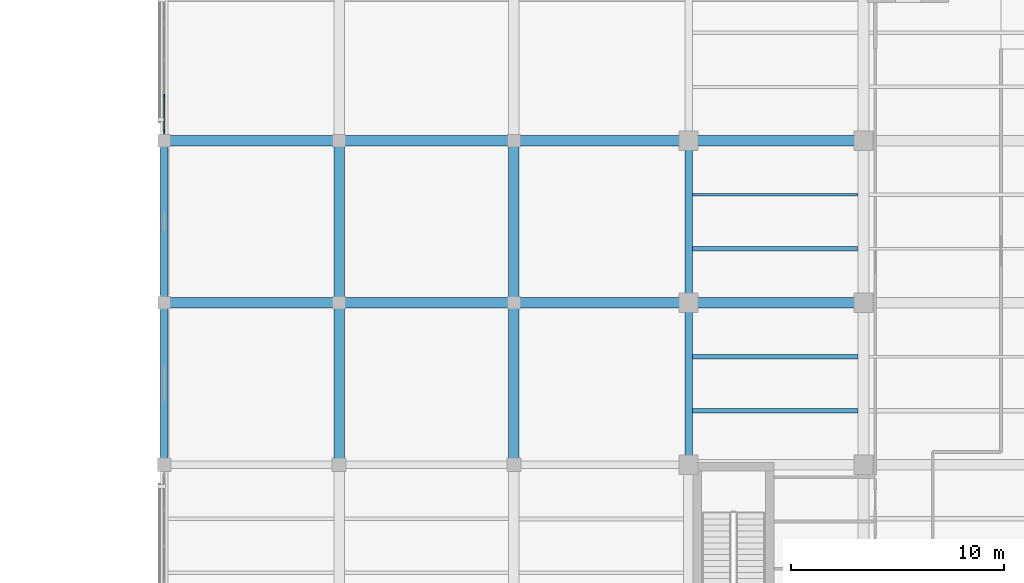
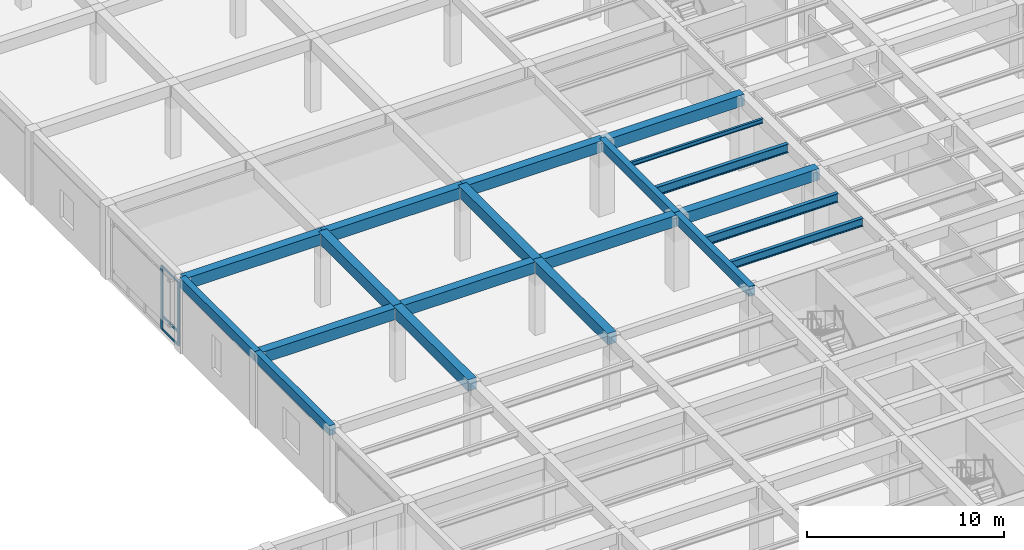
# One storey, part 13 of 49: 20 beams, 5 members, 1 element without a shape of its own.
"""IFC4 building model written with IfcOpenShell, lengths in metres."""

from ifc_helpers import new_model, si_unit, direction, frame, origin, origin_2d, place, context, subcontext, project, spatial, rectangle, i_section, extrude, material, material_profile, profile_set, type_object, element, aggregate, save


model = new_model("IFC4")

# Units and contexts
model_context = context("Model", 3, precision=1e-05, world=origin(), true_north=direction((0.0, 1.0)))
body_context = subcontext(model_context, "Body", "Model", "MODEL_VIEW")
ifc_project = project(units=[si_unit("LENGTHUNIT", "METRE"), si_unit("AREAUNIT", "SQUARE_METRE"), si_unit("VOLUMEUNIT", "CUBIC_METRE"), si_unit("PLANEANGLEUNIT", "RADIAN"), si_unit("MASSUNIT", "GRAM", prefix="KILO")], contexts=[model_context])

# Site, building, storey
site_placement = place(None, origin())
site = spatial("IfcSite", under=ifc_project, at=site_placement, CompositionType="ELEMENT")
building_placement = place(site_placement, origin())
building = spatial("IfcBuilding", under=site, at=building_placement, Name="Qandaris Square Conservatory and Botanical Centre", CompositionType="ELEMENT")
storey_placement = place(building_placement, frame((0.0, 0.0, 10.199951171875)))
storey = spatial("IfcBuildingStorey", under=building, at=storey_placement, Name="L02", CompositionType="ELEMENT", Elevation=10.199951171875)

# Beam
ifc_material_1 = material(Name="Steel S355", Category="steel")
ifc_material_profile_1 = material_profile(ifc_material_1, i_section(OverallWidth=0.199951171875, OverallDepth=0.5, WebThickness=0.01025390625, FlangeThickness=0.01611328125, FilletRadius=0.02099609375, at=origin_2d()), Name="IPE 500")
ifc_profile_set_1 = profile_set([ifc_material_profile_1], Name="Steel S355")
beam_type_1 = type_object("IfcBeamType", Name="Composite Gallery Joist IPE 500", PredefinedType="JOIST", material=ifc_profile_set_1)
beam_1_placement = place(storey_placement, frame((139.375, 49.533203125, 4.25), z_axis=(1.0, 0.0, 0.0), x_axis=(0.0, 1.0, 0.0)))
element("IfcBeam", 1, at=beam_1_placement, inside=storey, type_object=beam_type_1, Name="L02 Composite Joist 1488", PredefinedType="JOIST", context=body_context, shape_type="SweptSolid", body=[
    extrude(i_section(OverallWidth=0.199951171875, OverallDepth=0.5, WebThickness=0.01025390625, FlangeThickness=0.01611328125, FilletRadius=0.02099609375, at=origin_2d()), origin(), (0.0, 0.0, 1.0), 7.77490234375),
])

# Curtain wall, members
ifc_material_2 = material(Name="Anodised Aluminium", Category="aluminium")
curtain_wall_type = type_object("IfcCurtainWallType", Name="Unitised Curtain Wall CW-4-680x394", PredefinedType="USERDEFINED", material=ifc_material_2)
curtain_wall_placement = place(storey_placement, origin())
curtain_wall = element("IfcCurtainWall", 2, at=curtain_wall_placement, inside=storey, type_object=curtain_wall_type, Name="Curtain Wall CW-TWR-L02-4-5", ObjectType="GLAZED CURTAIN WALL", PredefinedType="USERDEFINED")
ifc_material_profile_2 = material_profile(ifc_material_2, rectangle(XDim=0.06494140625, YDim=0.179931640625, at=origin_2d()), Name="ALU-MUL 65x180")
ifc_profile_set_2 = profile_set([ifc_material_profile_2], Name="Anodised Aluminium")
member_type_1 = type_object("IfcMemberType", Name="Curtain Wall Mullion 65x180", PredefinedType="MULLION", material=ifc_profile_set_2)
member_1_placement = place(storey_placement, frame((114.60009765625, 64.300048828125, 0.0), z_axis=(0.0, 0.0, 1.0), x_axis=(1.0, 0.0, 0.0)))
member_1 = element("IfcMember", 3, at=member_1_placement, type_object=member_type_1, Name="CW-4-680x394 mullion 4", PredefinedType="MULLION", context=body_context, shape_type="SweptSolid", body=[
    extrude(rectangle(XDim=0.06494140625, YDim=0.179931640625, at=origin_2d()), origin(), (0.0, 0.0, 1.0), 3.945068359375),
])
member_2_placement = place(storey_placement, frame((114.60009765625, 62.632568359375, 0.0), z_axis=(0.0, 0.0, 1.0), x_axis=(1.0, 0.0, 0.0)))
member_2 = element("IfcMember", 4, at=member_2_placement, type_object=member_type_1, Name="CW-4-680x394 mullion 5", PredefinedType="MULLION", context=body_context, shape_type="SweptSolid", body=[
    extrude(rectangle(XDim=0.06494140625, YDim=0.179931640625, at=origin_2d()), origin(), (0.0, 0.0, 1.0), 3.945068359375),
])
ifc_material_profile_3 = material_profile(ifc_material_2, rectangle(XDim=0.06494140625, YDim=0.139892578125, at=origin_2d()), Name="ALU-TRN 65x140")
ifc_profile_set_3 = profile_set([ifc_material_profile_3], Name="Anodised Aluminium")
member_type_2 = type_object("IfcMemberType", Name="Curtain Wall Transom 65x140", PredefinedType="USERDEFINED", material=ifc_profile_set_3)
member_3_placement = place(storey_placement, frame((114.60009765625, 64.267578125, 0.032470703125), z_axis=(0.0, -1.0, 0.0), x_axis=(1.0, 0.0, 0.0)))
member_3 = element("IfcMember", 5, at=member_3_placement, type_object=member_type_2, Name="CW-4-680x394 transom 4.1", ObjectType="TRANSOM", PredefinedType="USERDEFINED", context=body_context, shape_type="SweptSolid", body=[
    extrude(rectangle(XDim=0.06494140625, YDim=0.139892578125, at=origin_2d()), origin(), (0.0, 0.0, 1.0), 1.6025390625),
])
member_4_placement = place(storey_placement, frame((114.60009765625, 64.267578125, 0.85009765625), z_axis=(0.0, -1.0, 0.0), x_axis=(1.0, 0.0, 0.0)))
member_4 = element("IfcMember", 6, at=member_4_placement, type_object=member_type_2, Name="CW-4-680x394 transom 4.2", ObjectType="TRANSOM", PredefinedType="USERDEFINED", context=body_context, shape_type="SweptSolid", body=[
    extrude(rectangle(XDim=0.06494140625, YDim=0.139892578125, at=origin_2d()), origin(), (0.0, 0.0, 1.0), 1.6025390625),
])
member_5_placement = place(storey_placement, frame((114.60009765625, 64.267578125, 3.91259765625), z_axis=(0.0, -1.0, 0.0), x_axis=(1.0, 0.0, 0.0)))
member_5 = element("IfcMember", 7, at=member_5_placement, type_object=member_type_2, Name="CW-4-680x394 transom 4.3", ObjectType="TRANSOM", PredefinedType="USERDEFINED", context=body_context, shape_type="SweptSolid", body=[
    extrude(rectangle(XDim=0.06494140625, YDim=0.139892578125, at=origin_2d()), origin(), (0.0, 0.0, 1.0), 1.6025390625),
])
aggregate(curtain_wall, [member_1, member_2, member_3, member_4, member_5])

# Beams
ifc_material_profile_4 = material_profile(ifc_material_1, i_section(OverallWidth=0.2099609375, OverallDepth=0.550048828125, WebThickness=0.010986328125, FlangeThickness=0.01708984375, FilletRadius=0.02392578125, at=origin_2d()), Name="IPE 550")
ifc_profile_set_4 = profile_set([ifc_material_profile_4], Name="Steel S355")
beam_type_2 = type_object("IfcBeamType", Name="Long-Span Foyer Joist IPE 550", PredefinedType="JOIST", material=ifc_profile_set_4)
for number, where, z_axis, x_axis, name in (
    (8, (139.375, 52.066650390625, 4.22509765625), (1.0, 0.0, 0.0), (0.0, 1.0, 0.0), "L02 Composite Joist 1489"),
    (9, (139.375, 57.13330078125, 4.22509765625), (1.0, 0.0, 0.0), (0.0, 1.0, 0.0), "L02 Composite Joist 1490"),
):
    element("IfcBeam", number, at=place(storey_placement, frame(where, z_axis=z_axis, x_axis=x_axis)), inside=storey, type_object=beam_type_2, Name=name, PredefinedType="JOIST", context=body_context, shape_type="SweptSolid", body=[
        extrude(i_section(OverallWidth=0.2099609375, OverallDepth=0.550048828125, WebThickness=0.010986328125, FlangeThickness=0.01708984375, FilletRadius=0.02392578125, at=origin_2d()), origin(), (0.0, 0.0, 1.0), 7.77490234375),
    ])
ifc_material_3 = material(Name="Concrete C50/60", Category="concrete")
ifc_material_profile_5 = material_profile(ifc_material_3, rectangle(XDim=0.35009765625, YDim=0.60009765625, at=origin_2d()), Name="RC-SP 350x600")
ifc_profile_set_5 = profile_set([ifc_material_profile_5], Name="Concrete C50/60")
beam_type_3 = type_object("IfcBeamType", Name="RC Edge Spandrel Beam 350x600", PredefinedType="SPANDREL", material=ifc_profile_set_5)
beam_2_placement = place(storey_placement, frame((114.60009765625, 47.0, 4.2451171875), z_axis=(0.0, 1.0, 0.0), x_axis=(-1.0, 0.0, 0.0)))
element("IfcBeam", 10, at=beam_2_placement, inside=storey, type_object=beam_type_3, Name="L02 Frame Beam 1388", PredefinedType="SPANDREL", context=body_context, shape_type="SweptSolid", body=[
    extrude(rectangle(XDim=0.35009765625, YDim=0.60009765625, at=origin_2d()), origin(), (0.0, 0.0, 1.0), 7.60009765625),
])
beam_3_placement = place(storey_placement, frame((114.60009765625, 54.60009765625, 4.2451171875), z_axis=(0.0, 1.0, 0.0), x_axis=(-1.0, 0.0, 0.0)))
element("IfcBeam", 11, at=beam_3_placement, inside=storey, type_object=beam_type_3, Name="L02 Frame Beam 1389", PredefinedType="SPANDREL", context=body_context, shape_type="SweptSolid", body=[
    extrude(rectangle(XDim=0.35009765625, YDim=0.60009765625, at=origin_2d()), origin(), (0.0, 0.0, 1.0), 7.599853515625),
])
beam_4_placement = place(storey_placement, frame((139.199951171875, 47.0, 4.2451171875), z_axis=(0.0, 1.0, 0.0), x_axis=(-1.0, 0.0, 0.0)))
element("IfcBeam", 12, at=beam_4_placement, inside=storey, type_object=beam_type_3, Name="L02 Frame Beam 1421", PredefinedType="SPANDREL", context=body_context, shape_type="SweptSolid", body=[
    extrude(rectangle(XDim=0.35009765625, YDim=0.60009765625, at=origin_2d()), origin(), (0.0, 0.0, 1.0), 7.60009765625),
])
beam_5_placement = place(storey_placement, frame((139.199951171875, 54.60009765625, 4.2451171875), z_axis=(0.0, 1.0, 0.0), x_axis=(-1.0, 0.0, 0.0)))
element("IfcBeam", 13, at=beam_5_placement, inside=storey, type_object=beam_type_3, Name="L02 Frame Beam 1422", PredefinedType="SPANDREL", context=body_context, shape_type="SweptSolid", body=[
    extrude(rectangle(XDim=0.35009765625, YDim=0.60009765625, at=origin_2d()), origin(), (0.0, 0.0, 1.0), 7.599853515625),
])
ifc_material_profile_6 = material_profile(ifc_material_3, rectangle(XDim=0.5, YDim=0.699951171875, at=origin_2d()), Name="RC-BM 500x700")
ifc_profile_set_6 = profile_set([ifc_material_profile_6], Name="Concrete C50/60")
beam_type_4 = type_object("IfcBeamType", Name="RC Floor Girder 500x700", PredefinedType="BEAM", material=ifc_profile_set_6)
for number, where, z_axis, x_axis, name in (
    (14, (114.60009765625, 54.60009765625, 4.195068359375), (1.0, 0.0, 0.0), (0.0, 1.0, 0.0), "L02 Frame Beam 1336"),
    (15, (122.800048828125, 54.60009765625, 4.195068359375), (1.0, 0.0, 0.0), (0.0, 1.0, 0.0), "L02 Frame Beam 1337"),
    (16, (131.0, 54.60009765625, 4.195068359375), (1.0, 0.0, 0.0), (0.0, 1.0, 0.0), "L02 Frame Beam 1338"),
    (17, (139.199951171875, 54.60009765625, 4.16015625), (1.0, 0.0, 0.0), (0.0, 1.0, 0.0), "L02 Frame Beam 1339"),
    (18, (114.60009765625, 62.199951171875, 4.195068359375), (1.0, 0.0, 0.0), (0.0, 1.0, 0.0), "L02 Frame Beam 1342"),
    (19, (122.800048828125, 62.199951171875, 4.195068359375), (1.0, 0.0, 0.0), (0.0, 1.0, 0.0), "L02 Frame Beam 1343"),
    (20, (131.0, 62.199951171875, 4.195068359375), (1.0, 0.0, 0.0), (0.0, 1.0, 0.0), "L02 Frame Beam 1344"),
    (21, (139.199951171875, 62.199951171875, 4.16015625), (1.0, 0.0, 0.0), (0.0, 1.0, 0.0), "L02 Frame Beam 1345"),
):
    element("IfcBeam", number, at=place(storey_placement, frame(where, z_axis=z_axis, x_axis=x_axis)), inside=storey, type_object=beam_type_4, Name=name, PredefinedType="BEAM", context=body_context, shape_type="SweptSolid", body=[
        extrude(rectangle(XDim=0.5, YDim=0.699951171875, at=origin_2d()), origin(), (0.0, 0.0, 1.0), 8.199951171875),
    ])
beam_6_placement = place(storey_placement, frame((122.800048828125, 47.0, 4.195068359375), z_axis=(0.0, 1.0, 0.0), x_axis=(-1.0, 0.0, 0.0)))
element("IfcBeam", 22, at=beam_6_placement, inside=storey, type_object=beam_type_4, Name="L02 Frame Beam 1399", PredefinedType="BEAM", context=body_context, shape_type="SweptSolid", body=[
    extrude(rectangle(XDim=0.5, YDim=0.699951171875, at=origin_2d()), origin(), (0.0, 0.0, 1.0), 7.60009765625),
])
beam_7_placement = place(storey_placement, frame((122.800048828125, 54.60009765625, 4.195068359375), z_axis=(0.0, 1.0, 0.0), x_axis=(-1.0, 0.0, 0.0)))
element("IfcBeam", 23, at=beam_7_placement, inside=storey, type_object=beam_type_4, Name="L02 Frame Beam 1400", PredefinedType="BEAM", context=body_context, shape_type="SweptSolid", body=[
    extrude(rectangle(XDim=0.5, YDim=0.699951171875, at=origin_2d()), origin(), (0.0, 0.0, 1.0), 7.599853515625),
])
beam_8_placement = place(storey_placement, frame((131.0, 47.0, 4.195068359375), z_axis=(0.0, 1.0, 0.0), x_axis=(-1.0, 0.0, 0.0)))
element("IfcBeam", 24, at=beam_8_placement, inside=storey, type_object=beam_type_4, Name="L02 Frame Beam 1410", PredefinedType="BEAM", context=body_context, shape_type="SweptSolid", body=[
    extrude(rectangle(XDim=0.5, YDim=0.699951171875, at=origin_2d()), origin(), (0.0, 0.0, 1.0), 7.60009765625),
])
beam_9_placement = place(storey_placement, frame((131.0, 54.60009765625, 4.195068359375), z_axis=(0.0, 1.0, 0.0), x_axis=(-1.0, 0.0, 0.0)))
element("IfcBeam", 25, at=beam_9_placement, inside=storey, type_object=beam_type_4, Name="L02 Frame Beam 1411", PredefinedType="BEAM", context=body_context, shape_type="SweptSolid", body=[
    extrude(rectangle(XDim=0.5, YDim=0.699951171875, at=origin_2d()), origin(), (0.0, 0.0, 1.0), 7.599853515625),
])
ifc_material_profile_7 = material_profile(ifc_material_1, i_section(OverallWidth=0.135009765625, OverallDepth=0.27001953125, WebThickness=0.006591796875, FlangeThickness=0.01025390625, FilletRadius=0.014892578125, at=origin_2d()), Name="IPE 270")
ifc_profile_set_7 = profile_set([ifc_material_profile_7], Name="Steel S355")
beam_type_5 = type_object("IfcBeamType", Name="Steel Floor Joist IPE 270", PredefinedType="JOIST", material=ifc_profile_set_7)
beam_10_placement = place(storey_placement, frame((139.375, 59.666748046875, 4.364990234375), z_axis=(1.0, 0.0, 0.0), x_axis=(0.0, 1.0, 0.0)))
element("IfcBeam", 26, at=beam_10_placement, inside=storey, type_object=beam_type_5, Name="L02 Composite Joist 1491", PredefinedType="JOIST", context=body_context, shape_type="SweptSolid", body=[
    extrude(i_section(OverallWidth=0.135009765625, OverallDepth=0.27001953125, WebThickness=0.006591796875, FlangeThickness=0.01025390625, FilletRadius=0.014892578125, at=origin_2d()), origin(), (0.0, 0.0, 1.0), 7.77490234375),
])

save(model, "model.ifc")
